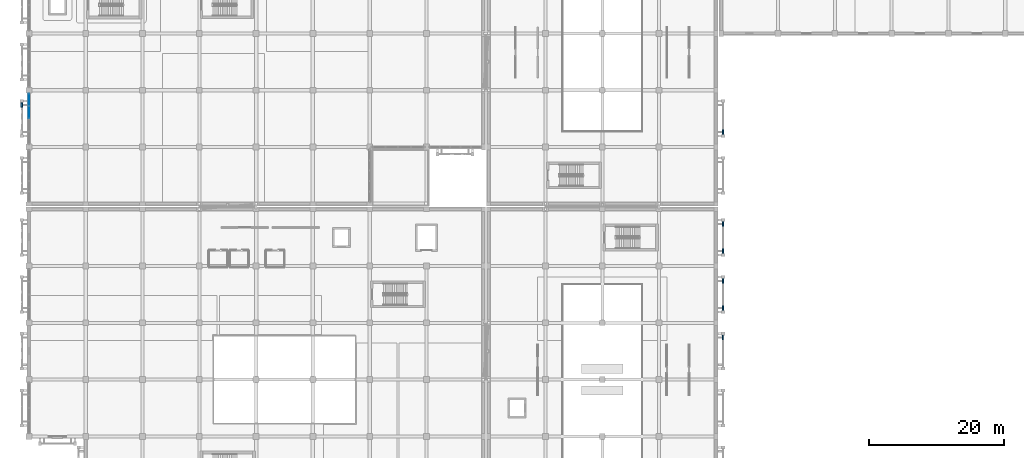
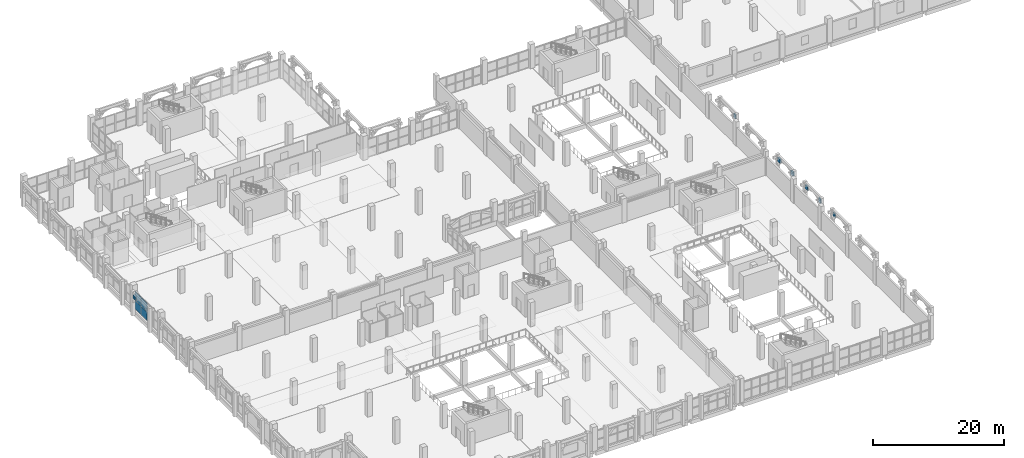
# One storey, part 100 of 137: 11 plates, 1 element without a shape of its own.
"""IFC4 building model written with IfcOpenShell, lengths in metres."""

from ifc_helpers import new_model, si_unit, direction, frame, origin, origin_2d, place, context, subcontext, project, spatial, rectangle, extrude, material, layer, layer_set, type_object, element, aggregate, save


model = new_model("IFC4")

# Units and contexts
model_context = context("Model", 3, precision=1e-05, world=origin(), true_north=direction((0.0, 1.0)))
body_context = subcontext(model_context, "Body", "Model", "MODEL_VIEW")
ifc_project = project(units=[si_unit("LENGTHUNIT", "METRE"), si_unit("AREAUNIT", "SQUARE_METRE"), si_unit("VOLUMEUNIT", "CUBIC_METRE"), si_unit("PLANEANGLEUNIT", "RADIAN"), si_unit("MASSUNIT", "GRAM", prefix="KILO")], contexts=[model_context])

# Site, building, storey
site_placement = place(None, origin())
site = spatial("IfcSite", under=ifc_project, at=site_placement, CompositionType="ELEMENT")
building_placement = place(site_placement, origin())
building = spatial("IfcBuilding", under=site, at=building_placement, Name="Xazarin Passage Department Store", CompositionType="ELEMENT")
storey_placement = place(building_placement, frame((0.0, 0.0, 5.39990234375)))
storey = spatial("IfcBuildingStorey", under=building, at=storey_placement, Name="L01", CompositionType="ELEMENT", Elevation=5.39990234375)

# Curtain wall, plates
ifc_material_1 = material(Name="Bronze anodised aluminium", Category="aluminium")
ifc_layer_1 = layer(ifc_material_1, 0.179931640625)
ifc_layer_set_1 = layer_set([ifc_layer_1], Name="Bronze anodised aluminium")
curtain_wall_type = type_object("IfcCurtainWallType", Name="ARC-CW-VIT1", PredefinedType="NOTDEFINED", material=ifc_layer_set_1)
curtain_wall_placement = place(storey_placement, origin())
curtain_wall = element("IfcCurtainWall", 1, at=curtain_wall_placement, inside=storey, type_object=curtain_wall_type, Name="L01 V1 Curtain Wall 019", PredefinedType="NOTDEFINED")
ifc_material_2 = material(Name="Low-E laminated safety glass", Category="glass")
ifc_layer_2 = layer(ifc_material_2, 0.031982421875)
ifc_layer_set_2 = layer_set([ifc_layer_2], Name="Low-E laminated safety glass")
plate_type_1 = type_object("IfcPlateType", Name="ARC-CWP-GLZ32", PredefinedType="CURTAIN_PANEL", material=ifc_layer_set_2)
plate_1_placement = place(storey_placement, frame((0.0, 64.74365234375, 0.0751953125), z_axis=(0.0, 0.0, 1.0), x_axis=(0.0, 1.0, 0.0)))
plate_1 = element("IfcPlate", 2, at=plate_1_placement, type_object=plate_type_1, Name="CW1 panel 3.1", PredefinedType="CURTAIN_PANEL", context=body_context, shape_type="SweptSolid", body=[
    extrude(rectangle(XDim=1.8125, YDim=0.031982421875, at=origin_2d()), origin(), (0.0, 0.0, 1.0), 1.612548828125),
])
plate_2_placement = place(storey_placement, frame((0.0, 64.74365234375, 1.7626953125), z_axis=(0.0, 0.0, 1.0), x_axis=(0.0, 1.0, 0.0)))
plate_2 = element("IfcPlate", 3, at=plate_2_placement, type_object=plate_type_1, Name="CW1 panel 3.2", PredefinedType="CURTAIN_PANEL", context=body_context, shape_type="SweptSolid", body=[
    extrude(rectangle(XDim=1.8125, YDim=0.031982421875, at=origin_2d()), origin(), (0.0, 0.0, 1.0), 1.612548828125),
])
plate_3_placement = place(storey_placement, frame((0.0, 66.612548828125, 0.0751953125), z_axis=(0.0, 0.0, 1.0), x_axis=(0.0, 1.0, 0.0)))
plate_3 = element("IfcPlate", 4, at=plate_3_placement, type_object=plate_type_1, Name="CW1 panel 4.1", PredefinedType="CURTAIN_PANEL", context=body_context, shape_type="SweptSolid", body=[
    extrude(rectangle(XDim=1.77490234375, YDim=0.031982421875, at=origin_2d()), origin(), (0.0, 0.0, 1.0), 1.612548828125),
])
plate_4_placement = place(storey_placement, frame((0.0, 66.612548828125, 1.7626953125), z_axis=(0.0, 0.0, 1.0), x_axis=(0.0, 1.0, 0.0)))
plate_4 = element("IfcPlate", 5, at=plate_4_placement, type_object=plate_type_1, Name="CW1 panel 4.2", PredefinedType="CURTAIN_PANEL", context=body_context, shape_type="SweptSolid", body=[
    extrude(rectangle(XDim=1.77490234375, YDim=0.031982421875, at=origin_2d()), origin(), (0.0, 0.0, 1.0), 1.612548828125),
])
aggregate(curtain_wall, [plate_1, plate_2, plate_3, plate_4])

# Plates
ifc_material_3 = material(Name="Precast concrete C40/50", Category="concrete")
ifc_layer_3 = layer(ifc_material_3, 0.139892578125)
ifc_layer_set_3 = layer_set([ifc_layer_3], Name="Precast concrete C40/50")
plate_type_2 = type_object("IfcPlateType", Name="ARC-PLT-SCR-07", PredefinedType="USERDEFINED", material=ifc_layer_set_3)
plate_5_placement = place(storey_placement, frame((102.64990234375, 31.39990234375, 3.26025390625), z_axis=(0.0, 0.0, 1.0), x_axis=(0.0, 1.0, 0.0)))
element("IfcPlate", 6, at=plate_5_placement, inside=storey, type_object=plate_type_2, Name="L01 V2S Arch Spandrel Tympanum 0188", ObjectType="SCREEN PANEL", PredefinedType="USERDEFINED", context=body_context, shape_type="SweptSolid", body=[
    extrude(rectangle(XDim=0.679931640625, YDim=0.139892578125, at=origin_2d()), origin(), (0.0, 0.0, 1.0), 0.719970703125),
])
ifc_layer_4 = layer(ifc_material_3, 0.179931640625)
ifc_layer_set_4 = layer_set([ifc_layer_4], Name="Precast concrete C40/50")
plate_type_3 = type_object("IfcPlateType", Name="ARC-PLT-SCR-11", PredefinedType="USERDEFINED", material=ifc_layer_set_4)
plate_6_placement = place(storey_placement, frame((102.64990234375, 61.800048828125, 3.26025390625), z_axis=(0.0, 0.0, 1.0), x_axis=(0.0, 1.0, 0.0)))
element("IfcPlate", 7, at=plate_6_placement, inside=storey, type_object=plate_type_3, Name="L01 V2N Arch Spandrel Tympanum 0211", ObjectType="SCREEN PANEL", PredefinedType="USERDEFINED", context=body_context, shape_type="SweptSolid", body=[
    extrude(rectangle(XDim=0.679931640625, YDim=0.179931640625, at=origin_2d()), origin(), (0.0, 0.0, 1.0), 0.719970703125),
])
ifc_layer_5 = layer(ifc_material_3, 0.199951171875)
ifc_layer_set_5 = layer_set([ifc_layer_5], Name="Precast concrete C40/50")
plate_type_4 = type_object("IfcPlateType", Name="ARC-PLT-SCR-13", PredefinedType="USERDEFINED", material=ifc_layer_set_5)
for number, where, z_axis, x_axis, name in (
    (8, (102.64990234375, 35.800048828125, 3.26025390625), (0.0, 0.0, 1.0), (0.0, 1.0, 0.0), "L01 V2S Arch Spandrel Tympanum 0193"),
    (9, (102.64990234375, 39.800048828125, 3.26025390625), (0.0, 0.0, 1.0), (0.0, 1.0, 0.0), "L01 V2S Arch Spandrel Tympanum 0194"),
):
    element("IfcPlate", number, at=place(storey_placement, frame(where, z_axis=z_axis, x_axis=x_axis)), inside=storey, type_object=plate_type_4, Name=name, ObjectType="SCREEN PANEL", PredefinedType="USERDEFINED", context=body_context, shape_type="SweptSolid", body=[
        extrude(rectangle(XDim=0.679931640625, YDim=0.199951171875, at=origin_2d()), origin(), (0.0, 0.0, 1.0), 0.719970703125),
    ])
ifc_layer_6 = layer(ifc_material_3, 0.260009765625)
ifc_layer_set_6 = layer_set([ifc_layer_6], Name="Precast concrete C40/50")
plate_type_5 = type_object("IfcPlateType", Name="ARC-PLT-SCR-19", PredefinedType="USERDEFINED", material=ifc_layer_set_6)
for number, where, z_axis, x_axis, name in (
    (10, (-1.050048828125, 65.800048828125, 3.26025390625), (0.0, 0.0, 1.0), (0.0, 1.0, 0.0), "L01 V1 Arch Spandrel Tympanum 0080"),
    (11, (102.64990234375, 44.199951171875, 3.26025390625), (0.0, 0.0, 1.0), (0.0, 1.0, 0.0), "L01 V2S Arch Spandrel Tympanum 0199"),
    (12, (102.64990234375, 48.199951171875, 3.26025390625), (0.0, 0.0, 1.0), (0.0, 1.0, 0.0), "L01 V2S Arch Spandrel Tympanum 0200"),
):
    element("IfcPlate", number, at=place(storey_placement, frame(where, z_axis=z_axis, x_axis=x_axis)), inside=storey, type_object=plate_type_5, Name=name, ObjectType="SCREEN PANEL", PredefinedType="USERDEFINED", context=body_context, shape_type="SweptSolid", body=[
        extrude(rectangle(XDim=0.679931640625, YDim=0.260009765625, at=origin_2d()), origin(), (0.0, 0.0, 1.0), 0.719970703125),
    ])

save(model, "model.ifc")
